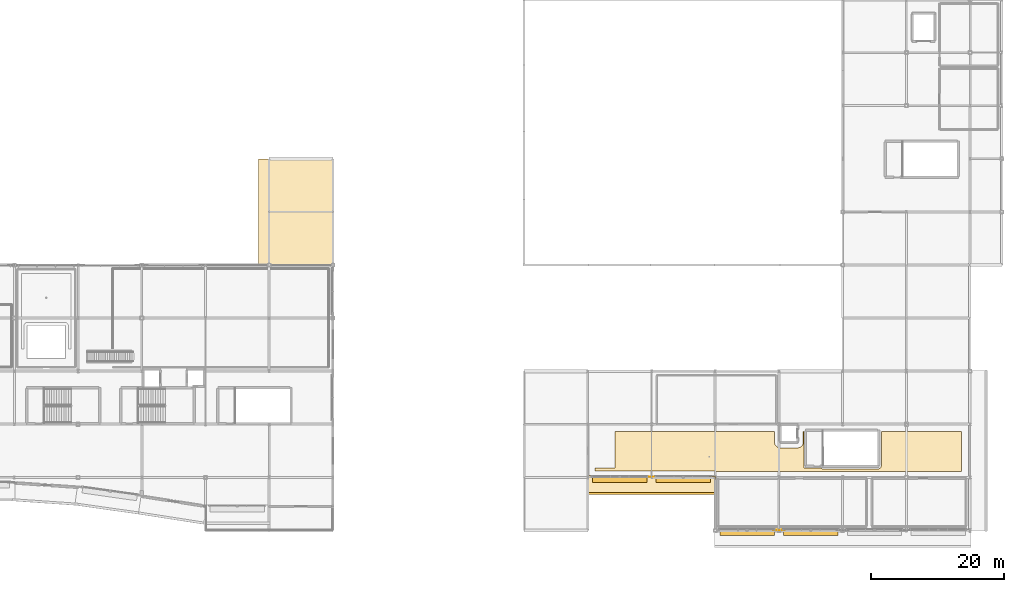
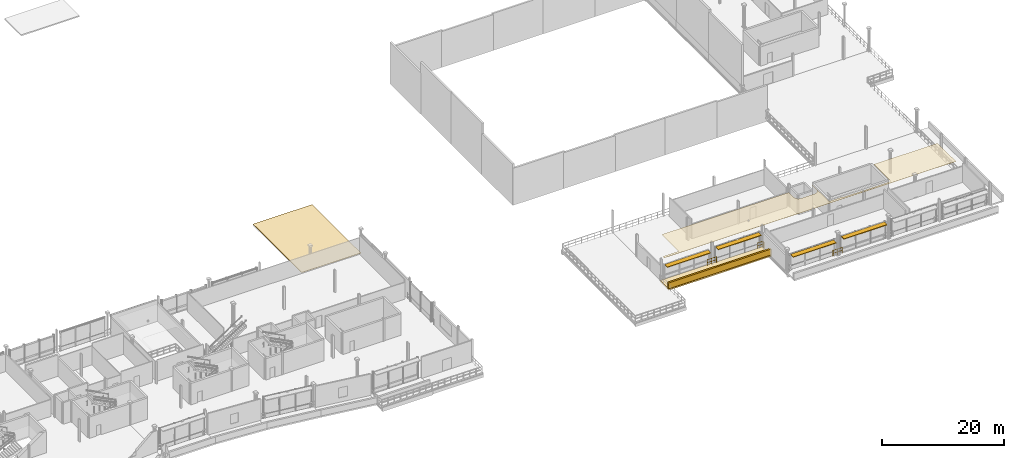
# One storey, part 54 of 59: 4 coverings, 4 shading devices, 3 railings.
"""IFC4 building model written with IfcOpenShell, lengths in metres."""

from ifc_helpers import new_model, si_unit, direction, frame, origin, origin_2d, place, context, subcontext, project, spatial, polyline, rectangle, circle, outline, extrude, material, layer, layer_set, type_object, element, save


model = new_model("IFC4")

# Units and contexts
model_context = context("Model", 3, precision=1e-05, world=origin(), true_north=direction((0.0, 1.0)))
body_context = subcontext(model_context, "Body", "Model", "MODEL_VIEW")
ifc_project = project(units=[si_unit("LENGTHUNIT", "METRE"), si_unit("AREAUNIT", "SQUARE_METRE"), si_unit("VOLUMEUNIT", "CUBIC_METRE"), si_unit("PLANEANGLEUNIT", "RADIAN"), si_unit("MASSUNIT", "GRAM", prefix="KILO")], contexts=[model_context])

# Site, building, storey
site_placement = place(None, origin())
site = spatial("IfcSite", under=ifc_project, at=site_placement, CompositionType="ELEMENT")
building_placement = place(site_placement, origin())
building = spatial("IfcBuilding", under=site, at=building_placement, Name="Danafjord Basin Convention Centre", CompositionType="ELEMENT")
storey_placement = place(building_placement, frame((0.0, 0.0, 15.89990234375)))
storey = spatial("IfcBuildingStorey", under=building, at=storey_placement, Name="L03", CompositionType="ELEMENT", Elevation=15.89990234375)

# Coverings
ifc_material_1 = material(Name="Architectural white precast concrete C45/55", Category="concrete")
ifc_layer_1 = layer(ifc_material_1, 0.320068359375)
ifc_layer_set_1 = layer_set([ifc_layer_1], Name="Architectural white precast concrete C45/55")
covering_type_1 = type_object("IfcCoveringType", Name="COV-BAND-HORIZ", PredefinedType="CLADDING", material=ifc_layer_set_1)
covering_1_placement = place(storey_placement, frame((163.199951171875, 6.824951171875, -0.27978515625), z_axis=(0.0, 0.0, 1.0), x_axis=(1.0, 0.0, 0.0)))
element("IfcCovering", 1, at=covering_1_placement, inside=storey, type_object=covering_type_1, Name="L03 stepped horizontal band soffit plate 67", PredefinedType="CLADDING", context=body_context, shape_type="SweptSolid", body=[
    extrude(rectangle(XDim=19.43994140625, YDim=2.85009765625, at=origin_2d()), origin(), (0.0, 0.0, 1.0), 0.280029296875),
])
covering_2_placement = place(storey_placement, frame((163.199951171875, 5.590087890625, -0.23974609375), z_axis=(0.0, 0.0, 1.0), x_axis=(1.0, 0.0, 0.0)))
element("IfcCovering", 2, at=covering_2_placement, inside=storey, type_object=covering_type_1, Name="L03 layered horizontal white spandrel band 67", PredefinedType="CLADDING", context=body_context, shape_type="SweptSolid", body=[
    extrude(rectangle(XDim=19.47998046875, YDim=0.320068359375, at=origin_2d()), origin(), (0.0, 0.0, 1.0), 1.419921875),
])
ifc_material_2 = material(Name="Perforated Nordic birch acoustic slats")
ifc_layer_2 = layer(ifc_material_2, 0.0400390625)
ifc_layer_set_2 = layer_set([ifc_layer_2], Name="Perforated Nordic birch acoustic slats")
covering_type_2 = type_object("IfcCoveringType", Name="COV-CLG-AC01", PredefinedType="CEILING", material=ifc_layer_set_2)
covering_3_placement = place(storey_placement, frame((0.0, 0.0, 3.635009765625)))
element("IfcCovering", 3, at=covering_3_placement, inside=storey, type_object=covering_type_2, Name="Level 3 Pavilion Pre-Function Foyer acoustic ceiling", PredefinedType="CEILING", context=body_context, shape_type="SweptSolid", body=[
    extrude(outline(polyline([(172.94189453125, 8.908935546875), (172.9208984375, 8.912109375), (172.85400390625, 8.91796875), (172.83203125, 8.9189453125), (172.800048828125, 8.919921875), (154.699951171875, 8.919921875), (154.699951171875, 9.39990234375), (157.68994140625, 9.39990234375), (157.68994140625, 14.89990234375), (181.739990234375, 14.89990234375), (181.739990234375, 13.300048828125), (181.740966796875, 13.256103515625), (181.741943359375, 13.239990234375), (181.7470703125, 13.19091796875), (181.7490234375, 13.176025390625), (181.76708984375, 13.089111328125), (181.77099609375, 13.073974609375), (181.782958984375, 13.032958984375), (181.7880859375, 13.01806640625), (181.825927734375, 12.926025390625), (181.8330078125, 12.912109375), (181.85107421875, 12.8779296875), (181.85888671875, 12.864013671875), (181.89111328125, 12.81298828125), (181.89990234375, 12.800048828125), (181.93896484375, 12.7490234375), (181.98095703125, 12.702880859375), (181.991943359375, 12.69189453125), (182.0029296875, 12.680908203125), (182.049072265625, 12.638916015625), (182.10009765625, 12.60009765625), (182.113037109375, 12.591064453125), (182.1640625, 12.55908203125), (182.177978515625, 12.551025390625), (182.2119140625, 12.532958984375), (182.22607421875, 12.52587890625), (182.318115234375, 12.488037109375), (182.3330078125, 12.48291015625), (182.3740234375, 12.470947265625), (182.388916015625, 12.467041015625), (182.47607421875, 12.448974609375), (182.490966796875, 12.447021484375), (182.5400390625, 12.44189453125), (182.555908203125, 12.44091796875), (182.60009765625, 12.43994140625), (185.199951171875, 12.43994140625), (185.243896484375, 12.44091796875), (185.260009765625, 12.44189453125), (185.30908203125, 12.447021484375), (185.323974609375, 12.448974609375), (185.410888671875, 12.467041015625), (185.426025390625, 12.470947265625), (185.467041015625, 12.48291015625), (185.48193359375, 12.488037109375), (185.573974609375, 12.52587890625), (185.587890625, 12.532958984375), (185.6220703125, 12.551025390625), (185.635986328125, 12.55908203125), (185.68701171875, 12.591064453125), (185.699951171875, 12.60009765625), (185.7509765625, 12.638916015625), (185.797119140625, 12.680908203125), (185.80810546875, 12.69189453125), (185.819091796875, 12.702880859375), (185.861083984375, 12.7490234375), (185.89990234375, 12.800048828125), (185.908935546875, 12.81298828125), (185.94091796875, 12.864013671875), (185.948974609375, 12.8779296875), (185.967041015625, 12.912109375), (185.97412109375, 12.926025390625), (186.011962890625, 13.01806640625), (186.01708984375, 13.032958984375), (186.029052734375, 13.073974609375), (186.032958984375, 13.089111328125), (186.051025390625, 13.176025390625), (186.052978515625, 13.19091796875), (186.05810546875, 13.239990234375), (186.05908203125, 13.256103515625), (186.06005859375, 13.300048828125), (186.06005859375, 14.89990234375), (186.14990234375, 14.89990234375), (186.14990234375, 9.39990234375), (188.714111328125, 9.39990234375), (188.73095703125, 9.385009765625), (188.77392578125, 9.35302734375), (188.821044921875, 9.324951171875), (188.8701171875, 9.302001953125), (188.919921875, 9.283935546875), (188.972900390625, 9.27099609375), (189.02587890625, 9.262939453125), (189.080078125, 9.260009765625), (197.280029296875, 9.260009765625), (197.333984375, 9.262939453125), (197.386962890625, 9.27099609375), (197.43994140625, 9.283935546875), (197.489990234375, 9.302001953125), (197.5390625, 9.324951171875), (197.5859375, 9.35302734375), (197.62890625, 9.385009765625), (197.64599609375, 9.39990234375), (197.68994140625, 9.39990234375), (197.68994140625, 9.444091796875), (197.705078125, 9.4609375), (197.737060546875, 9.50390625), (197.764892578125, 9.551025390625), (197.7880859375, 9.60009765625), (197.805908203125, 9.64990234375), (197.819091796875, 9.702880859375), (197.826904296875, 9.756103515625), (197.830078125, 9.81005859375), (197.830078125, 14.89990234375), (209.89990234375, 14.89990234375), (209.89990234375, 8.89990234375), (172.989013671875, 8.89990234375), (172.94189453125, 8.908935546875)])), origin(), (0.0, 0.0, 1.0), 0.0400390625),
])
ifc_material_3 = material(Name="EPDM insulated roof membrane")
ifc_layer_3 = layer(ifc_material_3, 0.06005859375)
ifc_layer_set_3 = layer_set([ifc_layer_3], Name="EPDM insulated roof membrane")
covering_type_3 = type_object("IfcCoveringType", Name="COV-ROOF-EPDM", PredefinedType="ROOFING", material=ifc_layer_set_3)
covering_4_placement = place(storey_placement, frame((0.0, 0.0, -0.419921875)))
element("IfcCovering", 4, at=covering_4_placement, inside=storey, type_object=covering_type_3, Name="L03 roof membrane RF-FLAT-C5", PredefinedType="ROOFING", context=body_context, shape_type="SweptSolid", body=[
    extrude(outline(polyline([(104.0, 40.0), (104.0, 56.0), (115.199951171875, 56.0), (115.199951171875, 40.0), (104.0, 40.0)])), origin(), (0.0, 0.0, 1.0), 0.06005859375),
])

# Railings
ifc_material_4 = material(Name="Laminated structural glass and stainless steel", Category="steel")
railing_type = type_object("IfcRailingType", Name="RL-BAL-GLS", PredefinedType="BALUSTRADE", material=ifc_material_4)
railing_1_placement = place(storey_placement, frame((183.280029296875, 0.080078125, 0.0)))
element("IfcRailing", 5, at=railing_1_placement, inside=storey, type_object=railing_type, Name="L03 safety guard balustrade 220", PredefinedType="BALUSTRADE", context=body_context, shape_type="SweptSolid", body=[
    extrude(circle(Radius=0.02392578125, at=origin_2d()), frame((0.0, 0.0, 1.1259765625), z_axis=(-1.0, 0.0, 0.0), x_axis=(0.0, -1.0, 0.0)), (0.0, 0.0, 1.0), 1.760009765625),
    extrude(circle(Radius=0.02392578125, at=origin_2d()), frame((0.0, 0.0, 0.55078125), z_axis=(-1.0, 0.0, 0.0), x_axis=(0.0, -1.0, 0.0)), (0.0, 0.0, 1.0), 1.760009765625),
    extrude(circle(Radius=0.02099609375, at=origin_2d()), origin(), (0.0, 0.0, 1.0), 1.099853515625),
    extrude(circle(Radius=0.02099609375, at=origin_2d()), frame((-0.8798828125, 0.0, 0.0)), (0.0, 0.0, 1.0), 1.099853515625),
    extrude(circle(Radius=0.02099609375, at=origin_2d()), frame((-1.760009765625, 0.0, 0.0)), (0.0, 0.0, 1.0), 1.099853515625),
])
railing_2_placement = place(storey_placement, frame((172.8798828125, 7.719970703125, 0.0)))
element("IfcRailing", 6, at=railing_2_placement, inside=storey, type_object=railing_type, Name="L03 safety guard balustrade 221", PredefinedType="BALUSTRADE", context=body_context, shape_type="SweptSolid", body=[
    extrude(circle(Radius=0.02392578125, at=origin_2d()), frame((0.0, 0.0, 1.1259765625), z_axis=(0.0, 1.0, 0.0), x_axis=(-1.0, 0.0, 0.0)), (0.0, 0.0, 1.0), 0.360107421875),
    extrude(circle(Radius=0.02392578125, at=origin_2d()), frame((0.0, 0.0, 0.55078125), z_axis=(0.0, 1.0, 0.0), x_axis=(-1.0, 0.0, 0.0)), (0.0, 0.0, 1.0), 0.360107421875),
    extrude(circle(Radius=0.02392578125, at=origin_2d()), frame((0.0, 0.360107421875, 1.1259765625), z_axis=(-1.0, 0.0, 0.0), x_axis=(0.0, -1.0, 0.0)), (0.0, 0.0, 1.0), 0.9599609375),
    extrude(circle(Radius=0.02392578125, at=origin_2d()), frame((0.0, 0.360107421875, 0.55078125), z_axis=(-1.0, 0.0, 0.0), x_axis=(0.0, -1.0, 0.0)), (0.0, 0.0, 1.0), 0.9599609375),
    extrude(circle(Radius=0.02099609375, at=origin_2d()), origin(), (0.0, 0.0, 1.0), 1.099853515625),
    extrude(circle(Radius=0.02099609375, at=origin_2d()), frame((0.0, 0.360107421875, 0.0)), (0.0, 0.0, 1.0), 1.099853515625),
    extrude(circle(Radius=0.02099609375, at=origin_2d()), frame((-0.9599609375, 0.360107421875, 0.0)), (0.0, 0.0, 1.0), 1.099853515625),
])
railing_3_placement = place(storey_placement, frame((164.080078125, 8.080078125, 0.0)))
element("IfcRailing", 7, at=railing_3_placement, inside=storey, type_object=railing_type, Name="L03 safety guard balustrade 222", PredefinedType="BALUSTRADE", context=body_context, shape_type="SweptSolid", body=[
    extrude(circle(Radius=0.02392578125, at=origin_2d()), frame((0.0, 0.0, 1.1259765625), z_axis=(-1.0, 0.0, 0.0), x_axis=(0.0, -1.0, 0.0)), (0.0, 0.0, 1.0), 1.760009765625),
    extrude(circle(Radius=0.02392578125, at=origin_2d()), frame((0.0, 0.0, 0.55078125), z_axis=(-1.0, 0.0, 0.0), x_axis=(0.0, -1.0, 0.0)), (0.0, 0.0, 1.0), 1.760009765625),
    extrude(circle(Radius=0.02099609375, at=origin_2d()), origin(), (0.0, 0.0, 1.0), 1.099853515625),
    extrude(circle(Radius=0.02099609375, at=origin_2d()), frame((-0.8798828125, 0.0, 0.0)), (0.0, 0.0, 1.0), 1.099853515625),
    extrude(circle(Radius=0.02099609375, at=origin_2d()), frame((-1.760009765625, 0.0, 0.0)), (0.0, 0.0, 1.0), 1.099853515625),
])

# Shading devices
ifc_material_5 = material(Name="Anodised aluminium aerofoil sunshade", Category="aluminium")
shading_device_type = type_object("IfcShadingDeviceType", Name="SHD-SUN-A", PredefinedType="USERDEFINED", material=ifc_material_5)
for number, where, z_axis, x_axis, name in (
    (8, (177.60009765625, -0.340087890625, 3.044921875), (0.0, 0.0, 1.0), (1.0, 0.0, 0.0), "L03 cantilevered harbour sunshade 21"),
    (9, (187.199951171875, -0.340087890625, 3.294921875), (0.0, 0.0, 1.0), (1.0, 0.0, 0.0), "L03 cantilevered harbour sunshade 22"),
    (10, (158.39990234375, 7.659912109375, 2.89501953125), (0.0, 0.0, 1.0), (1.0, 0.0, 0.0), "L03 cantilevered harbour sunshade 31"),
    (11, (168.0, 7.659912109375, 3.044921875), (0.0, 0.0, 1.0), (1.0, 0.0, 0.0), "L03 cantilevered harbour sunshade 32"),
):
    element("IfcShadingDevice", number, at=place(storey_placement, frame(where, z_axis=z_axis, x_axis=x_axis)), inside=storey, type_object=shading_device_type, Name=name, ObjectType="SUNSHADE", PredefinedType="USERDEFINED", context=body_context, shape_type="SweptSolid", body=[
        extrude(rectangle(XDim=8.199951171875, YDim=0.89990234375, at=origin_2d()), origin(), (0.0, 0.0, 1.0), 0.1201171875),
    ])

save(model, "model.ifc")
